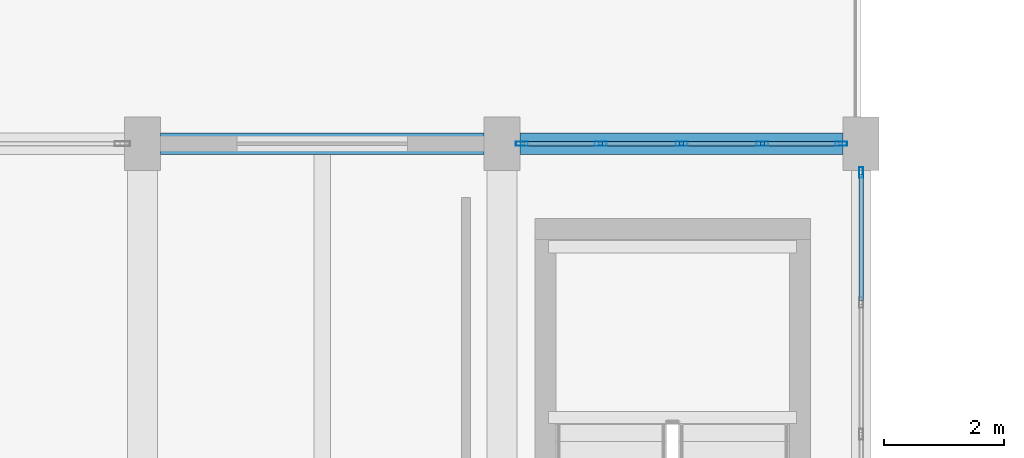
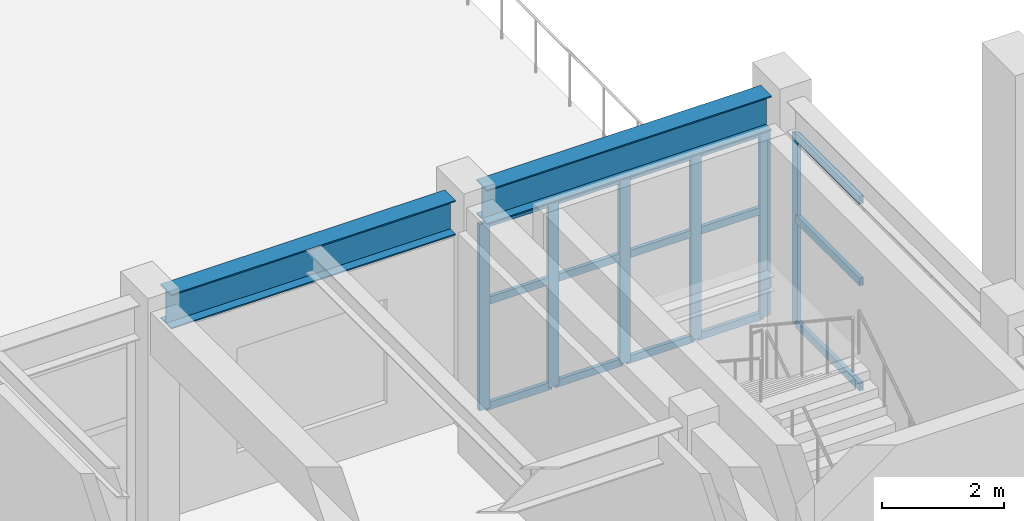
# One storey, part 40 of 80: 21 members, 2 beams, 2 elements without a shape of their own.
"""IFC4 building model written with IfcOpenShell, lengths in metres."""

from ifc_helpers import new_model, si_unit, direction, frame, origin, origin_2d, place, context, subcontext, project, spatial, hollow_rectangle, i_section, extrude, material, layer, layer_set, material_profile, profile_set, type_object, element, aggregate, save


model = new_model("IFC4")

# Units and contexts
model_context = context("Model", 3, precision=1e-05, world=origin(), true_north=direction((0.0, 1.0)))
body_context = subcontext(model_context, "Body", "Model", "MODEL_VIEW")
ifc_project = project(units=[si_unit("LENGTHUNIT", "METRE"), si_unit("AREAUNIT", "SQUARE_METRE"), si_unit("VOLUMEUNIT", "CUBIC_METRE"), si_unit("PLANEANGLEUNIT", "RADIAN"), si_unit("MASSUNIT", "GRAM", prefix="KILO")], contexts=[model_context])

# Site, building, storey
site_placement = place(None, origin())
site = spatial("IfcSite", under=ifc_project, at=site_placement, CompositionType="ELEMENT")
building_placement = place(site_placement, origin())
building = spatial("IfcBuilding", under=site, at=building_placement, Name="Vaelkrest Opera House", CompositionType="ELEMENT")
storey_placement = place(building_placement, frame((0.0, 0.0, 15.0)))
storey = spatial("IfcBuildingStorey", under=building, at=storey_placement, Name="L03", CompositionType="ELEMENT", Elevation=15.0)

# Curtain wall, member
ifc_material_1 = material(Name="Dark bronze anodized aluminium", Category="aluminium")
ifc_layer_1 = layer(ifc_material_1, 0.219970703125)
ifc_layer_set_1 = layer_set([ifc_layer_1], Name="Dark bronze anodized aluminium")
curtain_wall_type_1 = type_object("IfcCurtainWallType", Name="CW05", PredefinedType="NOTDEFINED", material=ifc_layer_set_1)
curtain_wall_1_placement = place(storey_placement, origin())
curtain_wall_1 = element("IfcCurtainWall", 1, at=curtain_wall_1_placement, inside=storey, type_object=curtain_wall_type_1, Name="Curtain wall CW-L03-135", PredefinedType="NOTDEFINED")
ifc_material_profile_1 = material_profile(ifc_material_1, hollow_rectangle(XDim=0.06494140625, YDim=0.179931640625, WallThickness=0.00390625, at=origin_2d()), Name="CWM65X180")
ifc_profile_set_1 = profile_set([ifc_material_profile_1], Name="Dark bronze anodized aluminium")
member_type_1 = type_object("IfcMemberType", Name="CWM01", PredefinedType="MULLION", material=ifc_profile_set_1)
member_1_placement = place(storey_placement, frame((-33.60009765625, 17.219482421875, 0.0), z_axis=(0.0, 0.0, 1.0), x_axis=(1.0, 0.0, 0.0)))
member_1 = element("IfcMember", 2, at=member_1_placement, type_object=member_type_1, Name="CW05 mullion 1", PredefinedType="MULLION", context=body_context, shape_type="SweptSolid", body=[
    extrude(hollow_rectangle(XDim=0.06494140625, YDim=0.179931640625, WallThickness=0.00390625, at=origin_2d()), origin(), (0.0, 0.0, 1.0), 3.8291015625),
])

# Curtain wall, members
ifc_layer_2 = layer(ifc_material_1, 0.18994140625)
ifc_layer_set_2 = layer_set([ifc_layer_2], Name="Dark bronze anodized aluminium")
curtain_wall_type_2 = type_object("IfcCurtainWallType", Name="CW02", PredefinedType="NOTDEFINED", material=ifc_layer_set_2)
curtain_wall_2_placement = place(storey_placement, origin())
curtain_wall_2 = element("IfcCurtainWall", 3, at=curtain_wall_2_placement, inside=storey, type_object=curtain_wall_type_2, Name="Curtain wall CW-L03-134", PredefinedType="NOTDEFINED")
ifc_material_profile_2 = material_profile(ifc_material_1, hollow_rectangle(XDim=0.070068359375, YDim=0.199951171875, WallThickness=0.004150390625, at=origin_2d()), Name="CWM70X200")
ifc_profile_set_2 = profile_set([ifc_material_profile_2], Name="Dark bronze anodized aluminium")
member_type_2 = type_object("IfcMemberType", Name="CWM02", PredefinedType="MULLION", material=ifc_profile_set_2)
member_2_placement = place(storey_placement, frame((-39.26708984375, 17.699951171875, 0.0), z_axis=(0.0, 0.0, 1.0), x_axis=(0.0, 1.0, 0.0)))
member_2 = element("IfcMember", 4, at=member_2_placement, type_object=member_type_2, Name="CW02 mullion 1", PredefinedType="MULLION", context=body_context, shape_type="SweptSolid", body=[
    extrude(hollow_rectangle(XDim=0.070068359375, YDim=0.199951171875, WallThickness=0.004150390625, at=origin_2d()), origin(), (0.0, 0.0, 1.0), 3.7451171875),
])
member_3_placement = place(storey_placement, frame((-37.950927734375, 17.699951171875, 0.0), z_axis=(0.0, 0.0, 1.0), x_axis=(0.0, 1.0, 0.0)))
member_3 = element("IfcMember", 5, at=member_3_placement, type_object=member_type_2, Name="CW02 mullion 2", PredefinedType="MULLION", context=body_context, shape_type="SweptSolid", body=[
    extrude(hollow_rectangle(XDim=0.070068359375, YDim=0.199951171875, WallThickness=0.004150390625, at=origin_2d()), origin(), (0.0, 0.0, 1.0), 3.7451171875),
])
member_4_placement = place(storey_placement, frame((-36.60009765625, 17.699951171875, 0.0), z_axis=(0.0, 0.0, 1.0), x_axis=(0.0, 1.0, 0.0)))
member_4 = element("IfcMember", 6, at=member_4_placement, type_object=member_type_2, Name="CW02 mullion 3", PredefinedType="MULLION", context=body_context, shape_type="SweptSolid", body=[
    extrude(hollow_rectangle(XDim=0.070068359375, YDim=0.199951171875, WallThickness=0.004150390625, at=origin_2d()), origin(), (0.0, 0.0, 1.0), 3.7451171875),
])
member_5_placement = place(storey_placement, frame((-35.2490234375, 17.699951171875, 0.0), z_axis=(0.0, 0.0, 1.0), x_axis=(0.0, 1.0, 0.0)))
member_5 = element("IfcMember", 7, at=member_5_placement, type_object=member_type_2, Name="CW02 mullion 4", PredefinedType="MULLION", context=body_context, shape_type="SweptSolid", body=[
    extrude(hollow_rectangle(XDim=0.070068359375, YDim=0.199951171875, WallThickness=0.004150390625, at=origin_2d()), origin(), (0.0, 0.0, 1.0), 3.7451171875),
])
member_6_placement = place(storey_placement, frame((-33.93310546875, 17.699951171875, 0.0), z_axis=(0.0, 0.0, 1.0), x_axis=(0.0, 1.0, 0.0)))
member_6 = element("IfcMember", 8, at=member_6_placement, type_object=member_type_2, Name="CW02 mullion 5", PredefinedType="MULLION", context=body_context, shape_type="SweptSolid", body=[
    extrude(hollow_rectangle(XDim=0.070068359375, YDim=0.199951171875, WallThickness=0.004150390625, at=origin_2d()), origin(), (0.0, 0.0, 1.0), 3.7451171875),
])
ifc_material_profile_3 = material_profile(ifc_material_1, hollow_rectangle(XDim=0.070068359375, YDim=0.14990234375, WallThickness=0.004150390625, at=origin_2d()), Name="CWT70X150")
ifc_profile_set_3 = profile_set([ifc_material_profile_3], Name="Dark bronze anodized aluminium")
member_type_3 = type_object("IfcMemberType", Name="CWT02", PredefinedType="USERDEFINED", material=ifc_profile_set_3)
member_7_placement = place(storey_placement, frame((-39.23193359375, 17.699951171875, 0.034912109375), z_axis=(1.0, 0.0, 0.0), x_axis=(0.0, 1.0, 0.0)))
member_7 = element("IfcMember", 9, at=member_7_placement, type_object=member_type_3, Name="CW02 transom 1.1", ObjectType="TRANSOM", PredefinedType="USERDEFINED", context=body_context, shape_type="SweptSolid", body=[
    extrude(hollow_rectangle(XDim=0.070068359375, YDim=0.14990234375, WallThickness=0.004150390625, at=origin_2d()), origin(), (0.0, 0.0, 1.0), 1.245849609375),
])
member_8_placement = place(storey_placement, frame((-39.23193359375, 17.699951171875, 2.14990234375), z_axis=(1.0, 0.0, 0.0), x_axis=(0.0, 1.0, 0.0)))
member_8 = element("IfcMember", 10, at=member_8_placement, type_object=member_type_3, Name="CW02 transom 1.2", ObjectType="TRANSOM", PredefinedType="USERDEFINED", context=body_context, shape_type="SweptSolid", body=[
    extrude(hollow_rectangle(XDim=0.070068359375, YDim=0.14990234375, WallThickness=0.004150390625, at=origin_2d()), origin(), (0.0, 0.0, 1.0), 1.245849609375),
])
member_9_placement = place(storey_placement, frame((-39.23193359375, 17.699951171875, 3.7099609375), z_axis=(1.0, 0.0, 0.0), x_axis=(0.0, 1.0, 0.0)))
member_9 = element("IfcMember", 11, at=member_9_placement, type_object=member_type_3, Name="CW02 transom 1.3", ObjectType="TRANSOM", PredefinedType="USERDEFINED", context=body_context, shape_type="SweptSolid", body=[
    extrude(hollow_rectangle(XDim=0.070068359375, YDim=0.14990234375, WallThickness=0.004150390625, at=origin_2d()), origin(), (0.0, 0.0, 1.0), 1.245849609375),
])
member_10_placement = place(storey_placement, frame((-37.916015625, 17.699951171875, 0.034912109375), z_axis=(1.0, 0.0, 0.0), x_axis=(0.0, 1.0, 0.0)))
member_10 = element("IfcMember", 12, at=member_10_placement, type_object=member_type_3, Name="CW02 transom 2.1", ObjectType="TRANSOM", PredefinedType="USERDEFINED", context=body_context, shape_type="SweptSolid", body=[
    extrude(hollow_rectangle(XDim=0.070068359375, YDim=0.14990234375, WallThickness=0.004150390625, at=origin_2d()), origin(), (0.0, 0.0, 1.0), 1.281005859375),
])
member_11_placement = place(storey_placement, frame((-37.916015625, 17.699951171875, 2.14990234375), z_axis=(1.0, 0.0, 0.0), x_axis=(0.0, 1.0, 0.0)))
member_11 = element("IfcMember", 13, at=member_11_placement, type_object=member_type_3, Name="CW02 transom 2.2", ObjectType="TRANSOM", PredefinedType="USERDEFINED", context=body_context, shape_type="SweptSolid", body=[
    extrude(hollow_rectangle(XDim=0.070068359375, YDim=0.14990234375, WallThickness=0.004150390625, at=origin_2d()), origin(), (0.0, 0.0, 1.0), 1.281005859375),
])
member_12_placement = place(storey_placement, frame((-37.916015625, 17.699951171875, 3.7099609375), z_axis=(1.0, 0.0, 0.0), x_axis=(0.0, 1.0, 0.0)))
member_12 = element("IfcMember", 14, at=member_12_placement, type_object=member_type_3, Name="CW02 transom 2.3", ObjectType="TRANSOM", PredefinedType="USERDEFINED", context=body_context, shape_type="SweptSolid", body=[
    extrude(hollow_rectangle(XDim=0.070068359375, YDim=0.14990234375, WallThickness=0.004150390625, at=origin_2d()), origin(), (0.0, 0.0, 1.0), 1.281005859375),
])
member_13_placement = place(storey_placement, frame((-36.56494140625, 17.699951171875, 0.034912109375), z_axis=(1.0, 0.0, 0.0), x_axis=(0.0, 1.0, 0.0)))
member_13 = element("IfcMember", 15, at=member_13_placement, type_object=member_type_3, Name="CW02 transom 3.1", ObjectType="TRANSOM", PredefinedType="USERDEFINED", context=body_context, shape_type="SweptSolid", body=[
    extrude(hollow_rectangle(XDim=0.070068359375, YDim=0.14990234375, WallThickness=0.004150390625, at=origin_2d()), origin(), (0.0, 0.0, 1.0), 1.281005859375),
])
member_14_placement = place(storey_placement, frame((-36.56494140625, 17.699951171875, 2.14990234375), z_axis=(1.0, 0.0, 0.0), x_axis=(0.0, 1.0, 0.0)))
member_14 = element("IfcMember", 16, at=member_14_placement, type_object=member_type_3, Name="CW02 transom 3.2", ObjectType="TRANSOM", PredefinedType="USERDEFINED", context=body_context, shape_type="SweptSolid", body=[
    extrude(hollow_rectangle(XDim=0.070068359375, YDim=0.14990234375, WallThickness=0.004150390625, at=origin_2d()), origin(), (0.0, 0.0, 1.0), 1.281005859375),
])
member_15_placement = place(storey_placement, frame((-36.56494140625, 17.699951171875, 3.7099609375), z_axis=(1.0, 0.0, 0.0), x_axis=(0.0, 1.0, 0.0)))
member_15 = element("IfcMember", 17, at=member_15_placement, type_object=member_type_3, Name="CW02 transom 3.3", ObjectType="TRANSOM", PredefinedType="USERDEFINED", context=body_context, shape_type="SweptSolid", body=[
    extrude(hollow_rectangle(XDim=0.070068359375, YDim=0.14990234375, WallThickness=0.004150390625, at=origin_2d()), origin(), (0.0, 0.0, 1.0), 1.281005859375),
])
member_16_placement = place(storey_placement, frame((-35.214111328125, 17.699951171875, 0.034912109375), z_axis=(1.0, 0.0, 0.0), x_axis=(0.0, 1.0, 0.0)))
member_16 = element("IfcMember", 18, at=member_16_placement, type_object=member_type_3, Name="CW02 transom 4.1", ObjectType="TRANSOM", PredefinedType="USERDEFINED", context=body_context, shape_type="SweptSolid", body=[
    extrude(hollow_rectangle(XDim=0.070068359375, YDim=0.14990234375, WallThickness=0.004150390625, at=origin_2d()), origin(), (0.0, 0.0, 1.0), 1.24609375),
])
member_17_placement = place(storey_placement, frame((-35.214111328125, 17.699951171875, 2.14990234375), z_axis=(1.0, 0.0, 0.0), x_axis=(0.0, 1.0, 0.0)))
member_17 = element("IfcMember", 19, at=member_17_placement, type_object=member_type_3, Name="CW02 transom 4.2", ObjectType="TRANSOM", PredefinedType="USERDEFINED", context=body_context, shape_type="SweptSolid", body=[
    extrude(hollow_rectangle(XDim=0.070068359375, YDim=0.14990234375, WallThickness=0.004150390625, at=origin_2d()), origin(), (0.0, 0.0, 1.0), 1.24609375),
])
member_18_placement = place(storey_placement, frame((-35.214111328125, 17.699951171875, 3.7099609375), z_axis=(1.0, 0.0, 0.0), x_axis=(0.0, 1.0, 0.0)))
member_18 = element("IfcMember", 20, at=member_18_placement, type_object=member_type_3, Name="CW02 transom 4.3", ObjectType="TRANSOM", PredefinedType="USERDEFINED", context=body_context, shape_type="SweptSolid", body=[
    extrude(hollow_rectangle(XDim=0.070068359375, YDim=0.14990234375, WallThickness=0.004150390625, at=origin_2d()), origin(), (0.0, 0.0, 1.0), 1.24609375),
])
aggregate(curtain_wall_2, [member_2, member_3, member_4, member_5, member_6, member_7, member_8, member_9, member_10, member_11, member_12, member_13, member_14, member_15, member_16, member_17, member_18])

# Member
ifc_material_profile_4 = material_profile(ifc_material_1, hollow_rectangle(XDim=0.074951171875, YDim=0.159912109375, WallThickness=0.00439453125, at=origin_2d()), Name="CWT75X160")
ifc_profile_set_4 = profile_set([ifc_material_profile_4], Name="Dark bronze anodized aluminium")
member_type_4 = type_object("IfcMemberType", Name="CWT03", PredefinedType="USERDEFINED", material=ifc_profile_set_4)
member_19_placement = place(storey_placement, frame((-33.60009765625, 17.18701171875, 0.03759765625), z_axis=(0.0, -1.0, 0.0), x_axis=(1.0, 0.0, 0.0)))
member_19 = element("IfcMember", 21, at=member_19_placement, type_object=member_type_4, Name="CW05 transom 1.1", ObjectType="TRANSOM", PredefinedType="USERDEFINED", context=body_context, shape_type="SweptSolid", body=[
    extrude(hollow_rectangle(XDim=0.074951171875, YDim=0.159912109375, WallThickness=0.00439453125, at=origin_2d()), origin(), (0.0, 0.0, 1.0), 2.103759765625),
])

member_20_placement = place(storey_placement, frame((-33.60009765625, 17.18701171875, 2.14990234375), z_axis=(0.0, -1.0, 0.0), x_axis=(1.0, 0.0, 0.0)))
member_20 = element("IfcMember", 22, at=member_20_placement, type_object=member_type_4, Name="CW05 transom 1.2", ObjectType="TRANSOM", PredefinedType="USERDEFINED", context=body_context, shape_type="SweptSolid", body=[
    extrude(hollow_rectangle(XDim=0.074951171875, YDim=0.159912109375, WallThickness=0.00439453125, at=origin_2d()), origin(), (0.0, 0.0, 1.0), 2.103759765625),
])

member_21_placement = place(storey_placement, frame((-33.60009765625, 17.18701171875, 3.79150390625), z_axis=(0.0, -1.0, 0.0), x_axis=(1.0, 0.0, 0.0)))
member_21 = element("IfcMember", 23, at=member_21_placement, type_object=member_type_4, Name="CW05 transom 1.3", ObjectType="TRANSOM", PredefinedType="USERDEFINED", context=body_context, shape_type="SweptSolid", body=[
    extrude(hollow_rectangle(XDim=0.074951171875, YDim=0.159912109375, WallThickness=0.00439453125, at=origin_2d()), origin(), (0.0, 0.0, 1.0), 2.103759765625),
])

aggregate(curtain_wall_1, [member_1, member_19, member_20, member_21])

# Beams
ifc_material_2 = material(Name="Steel A992 Gr50", Category="steel")
ifc_material_profile_5 = material_profile(ifc_material_2, i_section(OverallWidth=0.35498046875, OverallDepth=0.695068359375, WebThickness=0.015380859375, FlangeThickness=0.02490234375, at=origin_2d()), Name="W27X146")
ifc_profile_set_5 = profile_set([ifc_material_profile_5], Name="Steel A992 Gr50")
beam_type = type_object("IfcBeamType", Name="SP02", PredefinedType="SPANDREL", material=ifc_profile_set_5)
for number, where, z_axis, x_axis, name in (
    (24, (-45.300048828125, 17.699951171875, 4.157470703125), (1.0, 0.0, 0.0), (0.0, 1.0, 0.0), "Beam BM-V3-L03-1761"),
    (25, (-39.300048828125, 17.699951171875, 4.157470703125), (1.0, 0.0, 0.0), (0.0, 1.0, 0.0), "Beam BM-V3-L03-1762"),
):
    element("IfcBeam", number, at=place(storey_placement, frame(where, z_axis=z_axis, x_axis=x_axis)), inside=storey, type_object=beam_type, Name=name, PredefinedType="SPANDREL", context=body_context, shape_type="SweptSolid", body=[
        extrude(i_section(OverallWidth=0.35498046875, OverallDepth=0.695068359375, WebThickness=0.015380859375, FlangeThickness=0.02490234375, at=origin_2d()), origin(), (0.0, 0.0, 1.0), 5.400146484375),
    ])

save(model, "model.ifc")
